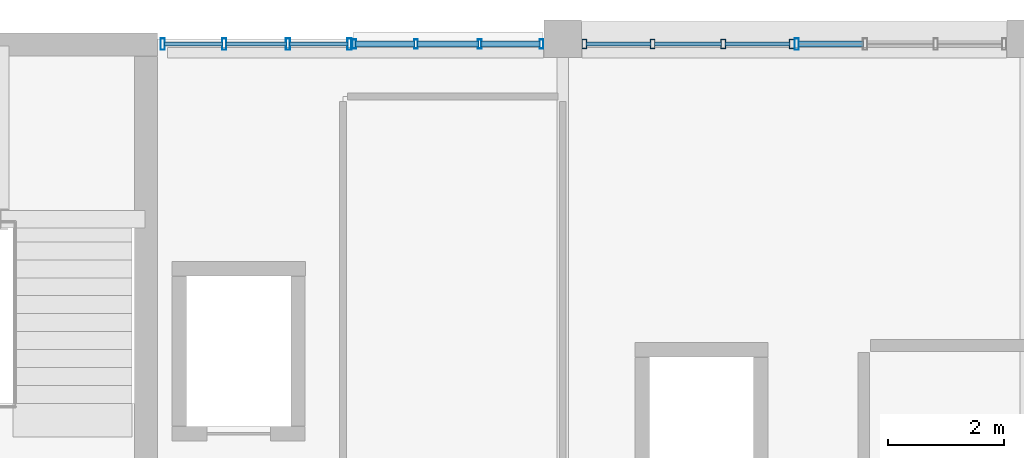
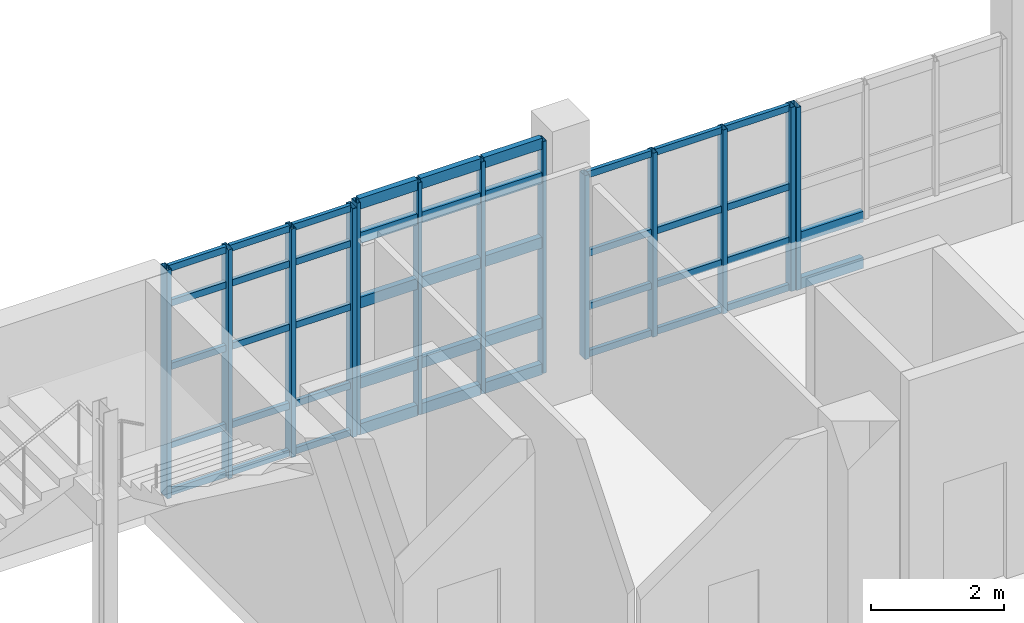
# One storey, part 39 of 85: 57 members, 4 elements without a shape of their own.
"""IFC4 building model written with IfcOpenShell, lengths in metres."""

from ifc_helpers import new_model, si_unit, derived_unit, direction, frame, origin, origin_2d, place, context, subcontext, project, spatial, hollow_rectangle, extrude, material, layer, layer_set, material_profile, profile_set, type_object, element, aggregate, save


model = new_model("IFC4")

# Units and contexts
model_context = context("Model", 3, precision=1e-05, world=origin(), true_north=direction((0.0, 1.0)))
body_context = subcontext(model_context, "Body", "Model", "MODEL_VIEW")
ifc_project = project(units=[si_unit("LENGTHUNIT", "METRE"), si_unit("AREAUNIT", "SQUARE_METRE"), si_unit("VOLUMEUNIT", "CUBIC_METRE"), si_unit("PLANEANGLEUNIT", "RADIAN"), si_unit("MASSUNIT", "GRAM", prefix="KILO"), derived_unit("THERMALTRANSMITTANCEUNIT", [(si_unit("POWERUNIT", "WATT"), 1), (si_unit("LENGTHUNIT", "METRE"), -2), (si_unit("THERMODYNAMICTEMPERATUREUNIT", "KELVIN"), -1)])], contexts=[model_context])

# Site, building, storey
site_placement = place(None, origin())
site = spatial("IfcSite", under=ifc_project, at=site_placement, CompositionType="ELEMENT")
building_placement = place(site_placement, origin())
building = spatial("IfcBuilding", under=site, at=building_placement, Name="Nallur Shell Playhouse", CompositionType="ELEMENT")
storey_placement = place(building_placement, frame((0.0, 0.0, 19.800048828125)))
storey = spatial("IfcBuildingStorey", under=building, at=storey_placement, Name="L05", CompositionType="ELEMENT", Elevation=19.800048828125)

# Curtain wall, members
ifc_material_1 = material(Name="Anodised Aluminium Double-Glazed Facade System", Category="aluminium")
ifc_layer_1 = layer(ifc_material_1, 0.1640625)
ifc_layer_set_1 = layer_set([ifc_layer_1], Name="Anodised Aluminium Double-Glazed Facade System")
curtain_wall_type_1 = type_object("IfcCurtainWallType", Name="CW-UNIT-01", PredefinedType="NOTDEFINED", material=ifc_layer_set_1)
curtain_wall_1_placement = place(storey_placement, origin())
curtain_wall_1 = element("IfcCurtainWall", 1, at=curtain_wall_1_placement, inside=storey, type_object=curtain_wall_type_1, Name="Unitised curtain wall CW-161 (L05)", PredefinedType="NOTDEFINED")
ifc_material_2 = material(Name="Aluminium Alloy 6063-T6 Mullion", Category="aluminium")
ifc_material_profile_1 = material_profile(ifc_material_2, hollow_rectangle(XDim=0.080078125, YDim=0.159912109375, WallThickness=0.006103515625, at=origin_2d()), Name="RHS 160x80x6")
ifc_profile_set_1 = profile_set([ifc_material_profile_1], Name="Aluminium Alloy 6063-T6 Mullion")
member_type_1 = type_object("IfcMemberType", Name="MB-CW-MUL150", PredefinedType="MULLION", material=ifc_profile_set_1)
member_1_placement = place(storey_placement, frame((40.373046875, 82.909912109375, -0.01513671875), z_axis=(0.0, 0.0, 1.0), x_axis=(1.0, 0.0, 0.0)))
member_1 = element("IfcMember", 2, at=member_1_placement, type_object=member_type_1, Name="CW-01 mullion 1", PredefinedType="MULLION", context=body_context, shape_type="SweptSolid", body=[
    extrude(hollow_rectangle(XDim=0.080078125, YDim=0.159912109375, WallThickness=0.006103515625, at=origin_2d()), origin(), (0.0, 0.0, 1.0), 3.384033203125),
])
member_2_placement = place(storey_placement, frame((41.5537109375, 82.909912109375, -0.01513671875), z_axis=(0.0, 0.0, 1.0), x_axis=(1.0, 0.0, 0.0)))
member_2 = element("IfcMember", 3, at=member_2_placement, type_object=member_type_1, Name="CW-01 mullion 2", PredefinedType="MULLION", context=body_context, shape_type="SweptSolid", body=[
    extrude(hollow_rectangle(XDim=0.080078125, YDim=0.159912109375, WallThickness=0.006103515625, at=origin_2d()), origin(), (0.0, 0.0, 1.0), 3.384033203125),
])
member_3_placement = place(storey_placement, frame((42.7744140625, 82.909912109375, -0.01513671875), z_axis=(0.0, 0.0, 1.0), x_axis=(1.0, 0.0, 0.0)))
member_3 = element("IfcMember", 4, at=member_3_placement, type_object=member_type_1, Name="CW-01 mullion 3", PredefinedType="MULLION", context=body_context, shape_type="SweptSolid", body=[
    extrude(hollow_rectangle(XDim=0.080078125, YDim=0.159912109375, WallThickness=0.006103515625, at=origin_2d()), origin(), (0.0, 0.0, 1.0), 3.384033203125),
])
member_4_placement = place(storey_placement, frame((43.955078125, 82.909912109375, -0.01513671875), z_axis=(0.0, 0.0, 1.0), x_axis=(1.0, 0.0, 0.0)))
member_4 = element("IfcMember", 5, at=member_4_placement, type_object=member_type_1, Name="CW-01 mullion 4", PredefinedType="MULLION", context=body_context, shape_type="SweptSolid", body=[
    extrude(hollow_rectangle(XDim=0.080078125, YDim=0.159912109375, WallThickness=0.006103515625, at=origin_2d()), origin(), (0.0, 0.0, 1.0), 3.384033203125),
])

ifc_layer_2 = layer(ifc_material_1, 0.16796875)
ifc_layer_set_2 = layer_set([ifc_layer_2], Name="Anodised Aluminium Double-Glazed Facade System")
curtain_wall_type_2 = type_object("IfcCurtainWallType", Name="CW-UNIT-32", PredefinedType="NOTDEFINED", material=ifc_layer_set_2)
curtain_wall_2_placement = place(storey_placement, origin())
curtain_wall_2 = element("IfcCurtainWall", 6, at=curtain_wall_2_placement, inside=storey, type_object=curtain_wall_type_2, Name="Unitised curtain wall CW-160 (L05)", PredefinedType="NOTDEFINED")
ifc_material_profile_2 = material_profile(ifc_material_2, hollow_rectangle(XDim=0.06494140625, YDim=0.159912109375, WallThickness=0.00390625, at=origin_2d()), Name="ALU 65x160x4")
ifc_profile_set_2 = profile_set([ifc_material_profile_2], Name="Aluminium Alloy 6063-T6 Mullion")
member_type_2 = type_object("IfcMemberType", Name="MB-CW-MUL160", PredefinedType="MULLION", material=ifc_profile_set_2)
member_5_placement = place(storey_placement, frame((36.39599609375, 82.909912109375, -0.01513671875), z_axis=(0.0, 0.0, 1.0), x_axis=(1.0, 0.0, 0.0)))
member_5 = element("IfcMember", 7, at=member_5_placement, type_object=member_type_2, Name="CW-32 mullion 1", PredefinedType="MULLION", context=body_context, shape_type="SweptSolid", body=[
    extrude(hollow_rectangle(XDim=0.06494140625, YDim=0.159912109375, WallThickness=0.00390625, at=origin_2d()), origin(), (0.0, 0.0, 1.0), 4.26904296875),
])
member_6_placement = place(storey_placement, frame((37.464599609375, 82.909912109375, -0.01513671875), z_axis=(0.0, 0.0, 1.0), x_axis=(1.0, 0.0, 0.0)))
member_6 = element("IfcMember", 8, at=member_6_placement, type_object=member_type_2, Name="CW-32 mullion 2", PredefinedType="MULLION", context=body_context, shape_type="SweptSolid", body=[
    extrude(hollow_rectangle(XDim=0.06494140625, YDim=0.159912109375, WallThickness=0.00390625, at=origin_2d()), origin(), (0.0, 0.0, 1.0), 4.26904296875),
])
member_7_placement = place(storey_placement, frame((38.56591796875, 82.909912109375, -0.01513671875), z_axis=(0.0, 0.0, 1.0), x_axis=(1.0, 0.0, 0.0)))
member_7 = element("IfcMember", 9, at=member_7_placement, type_object=member_type_2, Name="CW-32 mullion 3", PredefinedType="MULLION", context=body_context, shape_type="SweptSolid", body=[
    extrude(hollow_rectangle(XDim=0.06494140625, YDim=0.159912109375, WallThickness=0.00390625, at=origin_2d()), origin(), (0.0, 0.0, 1.0), 4.26904296875),
])
member_8_placement = place(storey_placement, frame((39.634521484375, 82.909912109375, -0.01513671875), z_axis=(0.0, 0.0, 1.0), x_axis=(1.0, 0.0, 0.0)))
member_8 = element("IfcMember", 10, at=member_8_placement, type_object=member_type_2, Name="CW-32 mullion 4", PredefinedType="MULLION", context=body_context, shape_type="SweptSolid", body=[
    extrude(hollow_rectangle(XDim=0.06494140625, YDim=0.159912109375, WallThickness=0.00390625, at=origin_2d()), origin(), (0.0, 0.0, 1.0), 4.26904296875),
])

ifc_layer_3 = layer(ifc_material_1, 0.1640625)
ifc_layer_set_3 = layer_set([ifc_layer_3], Name="Anodised Aluminium Double-Glazed Facade System")
curtain_wall_type_3 = type_object("IfcCurtainWallType", Name="CW-UNIT-31", PredefinedType="NOTDEFINED", material=ifc_layer_set_3)
curtain_wall_3_placement = place(storey_placement, origin())
curtain_wall_3 = element("IfcCurtainWall", 11, at=curtain_wall_3_placement, inside=storey, type_object=curtain_wall_type_3, Name="Unitised curtain wall CW-159 (L05)", PredefinedType="NOTDEFINED")
ifc_material_profile_3 = material_profile(ifc_material_2, hollow_rectangle(XDim=0.074951171875, YDim=0.199951171875, WallThickness=0.0048828125, at=origin_2d()), Name="ALU 75x200x5")
ifc_profile_set_3 = profile_set([ifc_material_profile_3], Name="Aluminium Alloy 6063-T6 Mullion")
member_type_3 = type_object("IfcMemberType", Name="MB-CW-MUL180", PredefinedType="MULLION", material=ifc_profile_set_3)
member_9_placement = place(storey_placement, frame((33.08740234375, 82.909912109375, -0.01513671875), z_axis=(0.0, 0.0, 1.0), x_axis=(1.0, 0.0, 0.0)))
member_9 = element("IfcMember", 12, at=member_9_placement, type_object=member_type_3, Name="CW-31 mullion 1", PredefinedType="MULLION", context=body_context, shape_type="SweptSolid", body=[
    extrude(hollow_rectangle(XDim=0.074951171875, YDim=0.199951171875, WallThickness=0.0048828125, at=origin_2d()), origin(), (0.0, 0.0, 1.0), 4.208984375),
])
member_10_placement = place(storey_placement, frame((34.151123046875, 82.909912109375, -0.01513671875), z_axis=(0.0, 0.0, 1.0), x_axis=(1.0, 0.0, 0.0)))
member_10 = element("IfcMember", 13, at=member_10_placement, type_object=member_type_3, Name="CW-31 mullion 2", PredefinedType="MULLION", context=body_context, shape_type="SweptSolid", body=[
    extrude(hollow_rectangle(XDim=0.074951171875, YDim=0.199951171875, WallThickness=0.0048828125, at=origin_2d()), origin(), (0.0, 0.0, 1.0), 4.208984375),
])
member_11_placement = place(storey_placement, frame((35.25244140625, 82.909912109375, -0.01513671875), z_axis=(0.0, 0.0, 1.0), x_axis=(1.0, 0.0, 0.0)))
member_11 = element("IfcMember", 14, at=member_11_placement, type_object=member_type_3, Name="CW-31 mullion 3", PredefinedType="MULLION", context=body_context, shape_type="SweptSolid", body=[
    extrude(hollow_rectangle(XDim=0.074951171875, YDim=0.199951171875, WallThickness=0.0048828125, at=origin_2d()), origin(), (0.0, 0.0, 1.0), 4.208984375),
])
member_12_placement = place(storey_placement, frame((36.31591796875, 82.909912109375, -0.01513671875), z_axis=(0.0, 0.0, 1.0), x_axis=(1.0, 0.0, 0.0)))
member_12 = element("IfcMember", 15, at=member_12_placement, type_object=member_type_3, Name="CW-31 mullion 4", PredefinedType="MULLION", context=body_context, shape_type="SweptSolid", body=[
    extrude(hollow_rectangle(XDim=0.074951171875, YDim=0.199951171875, WallThickness=0.0048828125, at=origin_2d()), origin(), (0.0, 0.0, 1.0), 4.208984375),
])

# Curtain wall, member
ifc_layer_4 = layer(ifc_material_1, 0.16796875)
ifc_layer_set_4 = layer_set([ifc_layer_4], Name="Anodised Aluminium Double-Glazed Facade System")
curtain_wall_type_4 = type_object("IfcCurtainWallType", Name="CW-UNIT-02", PredefinedType="NOTDEFINED", material=ifc_layer_set_4)
curtain_wall_4_placement = place(storey_placement, origin())
curtain_wall_4 = element("IfcCurtainWall", 16, at=curtain_wall_4_placement, inside=storey, type_object=curtain_wall_type_4, Name="Unitised curtain wall CW-162 (L05)", PredefinedType="NOTDEFINED")
member_13_placement = place(storey_placement, frame((44.04248046875, 82.909912109375, -0.01513671875), z_axis=(0.0, 0.0, 1.0), x_axis=(1.0, 0.0, 0.0)))
member_13 = element("IfcMember", 17, at=member_13_placement, type_object=member_type_3, Name="CW-02 mullion 1", PredefinedType="MULLION", context=body_context, shape_type="SweptSolid", body=[
    extrude(hollow_rectangle(XDim=0.074951171875, YDim=0.199951171875, WallThickness=0.0048828125, at=origin_2d()), origin(), (0.0, 0.0, 1.0), 3.364013671875),
])

# Member
ifc_material_3 = material(Name="Aluminium Alloy 6063-T6 Transom", Category="aluminium")
ifc_material_profile_4 = material_profile(ifc_material_3, hollow_rectangle(XDim=0.06494140625, YDim=0.1201171875, WallThickness=0.00390625, at=origin_2d()), Name="ALU 65x120x4")
ifc_profile_set_4 = profile_set([ifc_material_profile_4], Name="Aluminium Alloy 6063-T6 Transom")
member_type_4 = type_object("IfcMemberType", Name="MB-CW-TRN120", PredefinedType="USERDEFINED", material=ifc_profile_set_4)
member_14_placement = place(storey_placement, frame((33.116943359375, 82.909912109375, 0.032470703125), z_axis=(1.0, 0.0, 0.0), x_axis=(0.0, 1.0, 0.0)))
member_14 = element("IfcMember", 18, at=member_14_placement, type_object=member_type_4, Name="CW-31 transom 1.1", ObjectType="TRANSOM", PredefinedType="USERDEFINED", context=body_context, shape_type="SweptSolid", body=[
    extrude(hollow_rectangle(XDim=0.06494140625, YDim=0.1201171875, WallThickness=0.00390625, at=origin_2d()), origin(), (0.0, 0.0, 1.0), 1.004638671875),
])

member_15_placement = place(storey_placement, frame((33.116943359375, 82.909912109375, 0.89990234375), z_axis=(1.0, 0.0, 0.0), x_axis=(0.0, 1.0, 0.0)))
member_15 = element("IfcMember", 19, at=member_15_placement, type_object=member_type_4, Name="CW-31 transom 1.2", ObjectType="TRANSOM", PredefinedType="USERDEFINED", context=body_context, shape_type="SweptSolid", body=[
    extrude(hollow_rectangle(XDim=0.06494140625, YDim=0.1201171875, WallThickness=0.00390625, at=origin_2d()), origin(), (0.0, 0.0, 1.0), 1.004638671875),
])

member_16_placement = place(storey_placement, frame((33.116943359375, 82.909912109375, 2.345947265625), z_axis=(1.0, 0.0, 0.0), x_axis=(0.0, 1.0, 0.0)))
member_16 = element("IfcMember", 20, at=member_16_placement, type_object=member_type_4, Name="CW-31 transom 1.3", ObjectType="TRANSOM", PredefinedType="USERDEFINED", context=body_context, shape_type="SweptSolid", body=[
    extrude(hollow_rectangle(XDim=0.06494140625, YDim=0.1201171875, WallThickness=0.00390625, at=origin_2d()), origin(), (0.0, 0.0, 1.0), 1.004638671875),
])

member_17_placement = place(storey_placement, frame((33.116943359375, 82.909912109375, 3.510009765625), z_axis=(1.0, 0.0, 0.0), x_axis=(0.0, 1.0, 0.0)))
member_17 = element("IfcMember", 21, at=member_17_placement, type_object=member_type_4, Name="CW-31 transom 1.4", ObjectType="TRANSOM", PredefinedType="USERDEFINED", context=body_context, shape_type="SweptSolid", body=[
    extrude(hollow_rectangle(XDim=0.06494140625, YDim=0.1201171875, WallThickness=0.00390625, at=origin_2d()), origin(), (0.0, 0.0, 1.0), 1.004638671875),
])

member_18_placement = place(storey_placement, frame((33.116943359375, 82.909912109375, 4.157470703125), z_axis=(1.0, 0.0, 0.0), x_axis=(0.0, 1.0, 0.0)))
member_18 = element("IfcMember", 22, at=member_18_placement, type_object=member_type_4, Name="CW-31 transom 1.5", ObjectType="TRANSOM", PredefinedType="USERDEFINED", context=body_context, shape_type="SweptSolid", body=[
    extrude(hollow_rectangle(XDim=0.06494140625, YDim=0.1201171875, WallThickness=0.00390625, at=origin_2d()), origin(), (0.0, 0.0, 1.0), 1.004638671875),
])

member_19_placement = place(storey_placement, frame((34.1806640625, 82.909912109375, 0.032470703125), z_axis=(1.0, 0.0, 0.0), x_axis=(0.0, 1.0, 0.0)))
member_19 = element("IfcMember", 23, at=member_19_placement, type_object=member_type_4, Name="CW-31 transom 2.1", ObjectType="TRANSOM", PredefinedType="USERDEFINED", context=body_context, shape_type="SweptSolid", body=[
    extrude(hollow_rectangle(XDim=0.06494140625, YDim=0.1201171875, WallThickness=0.00390625, at=origin_2d()), origin(), (0.0, 0.0, 1.0), 1.042236328125),
])

member_20_placement = place(storey_placement, frame((34.1806640625, 82.909912109375, 0.89990234375), z_axis=(1.0, 0.0, 0.0), x_axis=(0.0, 1.0, 0.0)))
member_20 = element("IfcMember", 24, at=member_20_placement, type_object=member_type_4, Name="CW-31 transom 2.2", ObjectType="TRANSOM", PredefinedType="USERDEFINED", context=body_context, shape_type="SweptSolid", body=[
    extrude(hollow_rectangle(XDim=0.06494140625, YDim=0.1201171875, WallThickness=0.00390625, at=origin_2d()), origin(), (0.0, 0.0, 1.0), 1.042236328125),
])

member_21_placement = place(storey_placement, frame((34.1806640625, 82.909912109375, 2.345947265625), z_axis=(1.0, 0.0, 0.0), x_axis=(0.0, 1.0, 0.0)))
member_21 = element("IfcMember", 25, at=member_21_placement, type_object=member_type_4, Name="CW-31 transom 2.3", ObjectType="TRANSOM", PredefinedType="USERDEFINED", context=body_context, shape_type="SweptSolid", body=[
    extrude(hollow_rectangle(XDim=0.06494140625, YDim=0.1201171875, WallThickness=0.00390625, at=origin_2d()), origin(), (0.0, 0.0, 1.0), 1.042236328125),
])

member_22_placement = place(storey_placement, frame((34.1806640625, 82.909912109375, 3.510009765625), z_axis=(1.0, 0.0, 0.0), x_axis=(0.0, 1.0, 0.0)))
member_22 = element("IfcMember", 26, at=member_22_placement, type_object=member_type_4, Name="CW-31 transom 2.4", ObjectType="TRANSOM", PredefinedType="USERDEFINED", context=body_context, shape_type="SweptSolid", body=[
    extrude(hollow_rectangle(XDim=0.06494140625, YDim=0.1201171875, WallThickness=0.00390625, at=origin_2d()), origin(), (0.0, 0.0, 1.0), 1.042236328125),
])

member_23_placement = place(storey_placement, frame((34.1806640625, 82.909912109375, 4.157470703125), z_axis=(1.0, 0.0, 0.0), x_axis=(0.0, 1.0, 0.0)))
member_23 = element("IfcMember", 27, at=member_23_placement, type_object=member_type_4, Name="CW-31 transom 2.5", ObjectType="TRANSOM", PredefinedType="USERDEFINED", context=body_context, shape_type="SweptSolid", body=[
    extrude(hollow_rectangle(XDim=0.06494140625, YDim=0.1201171875, WallThickness=0.00390625, at=origin_2d()), origin(), (0.0, 0.0, 1.0), 1.042236328125),
])

member_24_placement = place(storey_placement, frame((35.28173828125, 82.909912109375, 0.032470703125), z_axis=(1.0, 0.0, 0.0), x_axis=(0.0, 1.0, 0.0)))
member_24 = element("IfcMember", 28, at=member_24_placement, type_object=member_type_4, Name="CW-31 transom 3.1", ObjectType="TRANSOM", PredefinedType="USERDEFINED", context=body_context, shape_type="SweptSolid", body=[
    extrude(hollow_rectangle(XDim=0.06494140625, YDim=0.1201171875, WallThickness=0.00390625, at=origin_2d()), origin(), (0.0, 0.0, 1.0), 1.0048828125),
])

member_25_placement = place(storey_placement, frame((35.28173828125, 82.909912109375, 0.89990234375), z_axis=(1.0, 0.0, 0.0), x_axis=(0.0, 1.0, 0.0)))
member_25 = element("IfcMember", 29, at=member_25_placement, type_object=member_type_4, Name="CW-31 transom 3.2", ObjectType="TRANSOM", PredefinedType="USERDEFINED", context=body_context, shape_type="SweptSolid", body=[
    extrude(hollow_rectangle(XDim=0.06494140625, YDim=0.1201171875, WallThickness=0.00390625, at=origin_2d()), origin(), (0.0, 0.0, 1.0), 1.0048828125),
])

member_26_placement = place(storey_placement, frame((35.28173828125, 82.909912109375, 2.345947265625), z_axis=(1.0, 0.0, 0.0), x_axis=(0.0, 1.0, 0.0)))
member_26 = element("IfcMember", 30, at=member_26_placement, type_object=member_type_4, Name="CW-31 transom 3.3", ObjectType="TRANSOM", PredefinedType="USERDEFINED", context=body_context, shape_type="SweptSolid", body=[
    extrude(hollow_rectangle(XDim=0.06494140625, YDim=0.1201171875, WallThickness=0.00390625, at=origin_2d()), origin(), (0.0, 0.0, 1.0), 1.0048828125),
])

member_27_placement = place(storey_placement, frame((35.28173828125, 82.909912109375, 3.510009765625), z_axis=(1.0, 0.0, 0.0), x_axis=(0.0, 1.0, 0.0)))
member_27 = element("IfcMember", 31, at=member_27_placement, type_object=member_type_4, Name="CW-31 transom 3.4", ObjectType="TRANSOM", PredefinedType="USERDEFINED", context=body_context, shape_type="SweptSolid", body=[
    extrude(hollow_rectangle(XDim=0.06494140625, YDim=0.1201171875, WallThickness=0.00390625, at=origin_2d()), origin(), (0.0, 0.0, 1.0), 1.0048828125),
])

member_28_placement = place(storey_placement, frame((35.28173828125, 82.909912109375, 4.157470703125), z_axis=(1.0, 0.0, 0.0), x_axis=(0.0, 1.0, 0.0)))
member_28 = element("IfcMember", 32, at=member_28_placement, type_object=member_type_4, Name="CW-31 transom 3.5", ObjectType="TRANSOM", PredefinedType="USERDEFINED", context=body_context, shape_type="SweptSolid", body=[
    extrude(hollow_rectangle(XDim=0.06494140625, YDim=0.1201171875, WallThickness=0.00390625, at=origin_2d()), origin(), (0.0, 0.0, 1.0), 1.0048828125),
])

aggregate(curtain_wall_3, [member_9, member_10, member_11, member_12, member_14, member_15, member_16, member_17, member_18, member_19, member_20, member_21, member_22, member_23, member_24, member_25, member_26, member_27, member_28])

member_29_placement = place(storey_placement, frame((40.405029296875, 82.909912109375, 0.032470703125), z_axis=(1.0, 0.0, 0.0), x_axis=(0.0, 1.0, 0.0)))
member_29 = element("IfcMember", 33, at=member_29_placement, type_object=member_type_4, Name="CW-01 transom 1.1", ObjectType="TRANSOM", PredefinedType="USERDEFINED", context=body_context, shape_type="SweptSolid", body=[
    extrude(hollow_rectangle(XDim=0.06494140625, YDim=0.1201171875, WallThickness=0.00390625, at=origin_2d()), origin(), (0.0, 0.0, 1.0), 1.11669921875),
])

member_30_placement = place(storey_placement, frame((40.405029296875, 82.909912109375, 0.89990234375), z_axis=(1.0, 0.0, 0.0), x_axis=(0.0, 1.0, 0.0)))
member_30 = element("IfcMember", 34, at=member_30_placement, type_object=member_type_4, Name="CW-01 transom 1.2", ObjectType="TRANSOM", PredefinedType="USERDEFINED", context=body_context, shape_type="SweptSolid", body=[
    extrude(hollow_rectangle(XDim=0.06494140625, YDim=0.1201171875, WallThickness=0.00390625, at=origin_2d()), origin(), (0.0, 0.0, 1.0), 1.11669921875),
])

member_31_placement = place(storey_placement, frame((40.405029296875, 82.909912109375, 1.884033203125), z_axis=(1.0, 0.0, 0.0), x_axis=(0.0, 1.0, 0.0)))
member_31 = element("IfcMember", 35, at=member_31_placement, type_object=member_type_4, Name="CW-01 transom 1.3", ObjectType="TRANSOM", PredefinedType="USERDEFINED", context=body_context, shape_type="SweptSolid", body=[
    extrude(hollow_rectangle(XDim=0.06494140625, YDim=0.1201171875, WallThickness=0.00390625, at=origin_2d()), origin(), (0.0, 0.0, 1.0), 1.11669921875),
])

member_32_placement = place(storey_placement, frame((40.405029296875, 82.909912109375, 3.33251953125), z_axis=(1.0, 0.0, 0.0), x_axis=(0.0, 1.0, 0.0)))
member_32 = element("IfcMember", 36, at=member_32_placement, type_object=member_type_4, Name="CW-01 transom 1.4", ObjectType="TRANSOM", PredefinedType="USERDEFINED", context=body_context, shape_type="SweptSolid", body=[
    extrude(hollow_rectangle(XDim=0.06494140625, YDim=0.1201171875, WallThickness=0.00390625, at=origin_2d()), origin(), (0.0, 0.0, 1.0), 1.11669921875),
])

member_33_placement = place(storey_placement, frame((41.585693359375, 82.909912109375, 0.032470703125), z_axis=(1.0, 0.0, 0.0), x_axis=(0.0, 1.0, 0.0)))
member_33 = element("IfcMember", 37, at=member_33_placement, type_object=member_type_4, Name="CW-01 transom 2.1", ObjectType="TRANSOM", PredefinedType="USERDEFINED", context=body_context, shape_type="SweptSolid", body=[
    extrude(hollow_rectangle(XDim=0.06494140625, YDim=0.1201171875, WallThickness=0.00390625, at=origin_2d()), origin(), (0.0, 0.0, 1.0), 1.15673828125),
])

member_34_placement = place(storey_placement, frame((41.585693359375, 82.909912109375, 0.89990234375), z_axis=(1.0, 0.0, 0.0), x_axis=(0.0, 1.0, 0.0)))
member_34 = element("IfcMember", 38, at=member_34_placement, type_object=member_type_4, Name="CW-01 transom 2.2", ObjectType="TRANSOM", PredefinedType="USERDEFINED", context=body_context, shape_type="SweptSolid", body=[
    extrude(hollow_rectangle(XDim=0.06494140625, YDim=0.1201171875, WallThickness=0.00390625, at=origin_2d()), origin(), (0.0, 0.0, 1.0), 1.15673828125),
])

member_35_placement = place(storey_placement, frame((41.585693359375, 82.909912109375, 1.884033203125), z_axis=(1.0, 0.0, 0.0), x_axis=(0.0, 1.0, 0.0)))
member_35 = element("IfcMember", 39, at=member_35_placement, type_object=member_type_4, Name="CW-01 transom 2.3", ObjectType="TRANSOM", PredefinedType="USERDEFINED", context=body_context, shape_type="SweptSolid", body=[
    extrude(hollow_rectangle(XDim=0.06494140625, YDim=0.1201171875, WallThickness=0.00390625, at=origin_2d()), origin(), (0.0, 0.0, 1.0), 1.15673828125),
])

member_36_placement = place(storey_placement, frame((41.585693359375, 82.909912109375, 3.33251953125), z_axis=(1.0, 0.0, 0.0), x_axis=(0.0, 1.0, 0.0)))
member_36 = element("IfcMember", 40, at=member_36_placement, type_object=member_type_4, Name="CW-01 transom 2.4", ObjectType="TRANSOM", PredefinedType="USERDEFINED", context=body_context, shape_type="SweptSolid", body=[
    extrude(hollow_rectangle(XDim=0.06494140625, YDim=0.1201171875, WallThickness=0.00390625, at=origin_2d()), origin(), (0.0, 0.0, 1.0), 1.15673828125),
])

member_37_placement = place(storey_placement, frame((42.806396484375, 82.909912109375, 0.032470703125), z_axis=(1.0, 0.0, 0.0), x_axis=(0.0, 1.0, 0.0)))
member_37 = element("IfcMember", 41, at=member_37_placement, type_object=member_type_4, Name="CW-01 transom 3.1", ObjectType="TRANSOM", PredefinedType="USERDEFINED", context=body_context, shape_type="SweptSolid", body=[
    extrude(hollow_rectangle(XDim=0.06494140625, YDim=0.1201171875, WallThickness=0.00390625, at=origin_2d()), origin(), (0.0, 0.0, 1.0), 1.11669921875),
])

member_38_placement = place(storey_placement, frame((42.806396484375, 82.909912109375, 0.89990234375), z_axis=(1.0, 0.0, 0.0), x_axis=(0.0, 1.0, 0.0)))
member_38 = element("IfcMember", 42, at=member_38_placement, type_object=member_type_4, Name="CW-01 transom 3.2", ObjectType="TRANSOM", PredefinedType="USERDEFINED", context=body_context, shape_type="SweptSolid", body=[
    extrude(hollow_rectangle(XDim=0.06494140625, YDim=0.1201171875, WallThickness=0.00390625, at=origin_2d()), origin(), (0.0, 0.0, 1.0), 1.11669921875),
])

member_39_placement = place(storey_placement, frame((42.806396484375, 82.909912109375, 1.884033203125), z_axis=(1.0, 0.0, 0.0), x_axis=(0.0, 1.0, 0.0)))
member_39 = element("IfcMember", 43, at=member_39_placement, type_object=member_type_4, Name="CW-01 transom 3.3", ObjectType="TRANSOM", PredefinedType="USERDEFINED", context=body_context, shape_type="SweptSolid", body=[
    extrude(hollow_rectangle(XDim=0.06494140625, YDim=0.1201171875, WallThickness=0.00390625, at=origin_2d()), origin(), (0.0, 0.0, 1.0), 1.11669921875),
])

member_40_placement = place(storey_placement, frame((42.806396484375, 82.909912109375, 3.33251953125), z_axis=(1.0, 0.0, 0.0), x_axis=(0.0, 1.0, 0.0)))
member_40 = element("IfcMember", 44, at=member_40_placement, type_object=member_type_4, Name="CW-01 transom 3.4", ObjectType="TRANSOM", PredefinedType="USERDEFINED", context=body_context, shape_type="SweptSolid", body=[
    extrude(hollow_rectangle(XDim=0.06494140625, YDim=0.1201171875, WallThickness=0.00390625, at=origin_2d()), origin(), (0.0, 0.0, 1.0), 1.11669921875),
])

aggregate(curtain_wall_1, [member_1, member_2, member_3, member_4, member_29, member_30, member_31, member_32, member_33, member_34, member_35, member_36, member_37, member_38, member_39, member_40])

ifc_material_profile_5 = material_profile(ifc_material_3, hollow_rectangle(XDim=0.10009765625, YDim=0.199951171875, WallThickness=0.008056640625, at=origin_2d()), Name="RHS 200x100x8")
ifc_profile_set_5 = profile_set([ifc_material_profile_5], Name="Aluminium Alloy 6063-T6 Transom")
member_type_5 = type_object("IfcMemberType", Name="MB-CW-TRN140", PredefinedType="USERDEFINED", material=ifc_profile_set_5)
member_41_placement = place(storey_placement, frame((36.42041015625, 82.909912109375, 0.050048828125), z_axis=(1.0, 0.0, 0.0), x_axis=(0.0, 1.0, 0.0)))
member_41 = element("IfcMember", 45, at=member_41_placement, type_object=member_type_5, Name="CW-32 transom 1.1", ObjectType="TRANSOM", PredefinedType="USERDEFINED", context=body_context, shape_type="SweptSolid", body=[
    extrude(hollow_rectangle(XDim=0.10009765625, YDim=0.199951171875, WallThickness=0.008056640625, at=origin_2d()), origin(), (0.0, 0.0, 1.0), 1.019775390625),
])

member_42_placement = place(storey_placement, frame((36.42041015625, 82.909912109375, 0.89990234375), z_axis=(1.0, 0.0, 0.0), x_axis=(0.0, 1.0, 0.0)))
member_42 = element("IfcMember", 46, at=member_42_placement, type_object=member_type_5, Name="CW-32 transom 1.2", ObjectType="TRANSOM", PredefinedType="USERDEFINED", context=body_context, shape_type="SweptSolid", body=[
    extrude(hollow_rectangle(XDim=0.10009765625, YDim=0.199951171875, WallThickness=0.008056640625, at=origin_2d()), origin(), (0.0, 0.0, 1.0), 1.019775390625),
])

member_43_placement = place(storey_placement, frame((36.42041015625, 82.909912109375, 2.3798828125), z_axis=(1.0, 0.0, 0.0), x_axis=(0.0, 1.0, 0.0)))
member_43 = element("IfcMember", 47, at=member_43_placement, type_object=member_type_5, Name="CW-32 transom 1.3", ObjectType="TRANSOM", PredefinedType="USERDEFINED", context=body_context, shape_type="SweptSolid", body=[
    extrude(hollow_rectangle(XDim=0.10009765625, YDim=0.199951171875, WallThickness=0.008056640625, at=origin_2d()), origin(), (0.0, 0.0, 1.0), 1.019775390625),
])

member_44_placement = place(storey_placement, frame((36.42041015625, 82.909912109375, 3.570068359375), z_axis=(1.0, 0.0, 0.0), x_axis=(0.0, 1.0, 0.0)))
member_44 = element("IfcMember", 48, at=member_44_placement, type_object=member_type_5, Name="CW-32 transom 1.4", ObjectType="TRANSOM", PredefinedType="USERDEFINED", context=body_context, shape_type="SweptSolid", body=[
    extrude(hollow_rectangle(XDim=0.10009765625, YDim=0.199951171875, WallThickness=0.008056640625, at=origin_2d()), origin(), (0.0, 0.0, 1.0), 1.019775390625),
])

member_45_placement = place(storey_placement, frame((36.42041015625, 82.909912109375, 4.199951171875), z_axis=(1.0, 0.0, 0.0), x_axis=(0.0, 1.0, 0.0)))
member_45 = element("IfcMember", 49, at=member_45_placement, type_object=member_type_5, Name="CW-32 transom 1.5", ObjectType="TRANSOM", PredefinedType="USERDEFINED", context=body_context, shape_type="SweptSolid", body=[
    extrude(hollow_rectangle(XDim=0.10009765625, YDim=0.199951171875, WallThickness=0.008056640625, at=origin_2d()), origin(), (0.0, 0.0, 1.0), 1.019775390625),
])

member_46_placement = place(storey_placement, frame((37.4892578125, 82.909912109375, 0.050048828125), z_axis=(1.0, 0.0, 0.0), x_axis=(0.0, 1.0, 0.0)))
member_46 = element("IfcMember", 50, at=member_46_placement, type_object=member_type_5, Name="CW-32 transom 2.1", ObjectType="TRANSOM", PredefinedType="USERDEFINED", context=body_context, shape_type="SweptSolid", body=[
    extrude(hollow_rectangle(XDim=0.10009765625, YDim=0.199951171875, WallThickness=0.008056640625, at=origin_2d()), origin(), (0.0, 0.0, 1.0), 1.052001953125),
])

member_47_placement = place(storey_placement, frame((37.4892578125, 82.909912109375, 0.89990234375), z_axis=(1.0, 0.0, 0.0), x_axis=(0.0, 1.0, 0.0)))
member_47 = element("IfcMember", 51, at=member_47_placement, type_object=member_type_5, Name="CW-32 transom 2.2", ObjectType="TRANSOM", PredefinedType="USERDEFINED", context=body_context, shape_type="SweptSolid", body=[
    extrude(hollow_rectangle(XDim=0.10009765625, YDim=0.199951171875, WallThickness=0.008056640625, at=origin_2d()), origin(), (0.0, 0.0, 1.0), 1.052001953125),
])

member_48_placement = place(storey_placement, frame((37.4892578125, 82.909912109375, 2.3798828125), z_axis=(1.0, 0.0, 0.0), x_axis=(0.0, 1.0, 0.0)))
member_48 = element("IfcMember", 52, at=member_48_placement, type_object=member_type_5, Name="CW-32 transom 2.3", ObjectType="TRANSOM", PredefinedType="USERDEFINED", context=body_context, shape_type="SweptSolid", body=[
    extrude(hollow_rectangle(XDim=0.10009765625, YDim=0.199951171875, WallThickness=0.008056640625, at=origin_2d()), origin(), (0.0, 0.0, 1.0), 1.052001953125),
])

member_49_placement = place(storey_placement, frame((37.4892578125, 82.909912109375, 3.570068359375), z_axis=(1.0, 0.0, 0.0), x_axis=(0.0, 1.0, 0.0)))
member_49 = element("IfcMember", 53, at=member_49_placement, type_object=member_type_5, Name="CW-32 transom 2.4", ObjectType="TRANSOM", PredefinedType="USERDEFINED", context=body_context, shape_type="SweptSolid", body=[
    extrude(hollow_rectangle(XDim=0.10009765625, YDim=0.199951171875, WallThickness=0.008056640625, at=origin_2d()), origin(), (0.0, 0.0, 1.0), 1.052001953125),
])

member_50_placement = place(storey_placement, frame((37.4892578125, 82.909912109375, 4.199951171875), z_axis=(1.0, 0.0, 0.0), x_axis=(0.0, 1.0, 0.0)))
member_50 = element("IfcMember", 54, at=member_50_placement, type_object=member_type_5, Name="CW-32 transom 2.5", ObjectType="TRANSOM", PredefinedType="USERDEFINED", context=body_context, shape_type="SweptSolid", body=[
    extrude(hollow_rectangle(XDim=0.10009765625, YDim=0.199951171875, WallThickness=0.008056640625, at=origin_2d()), origin(), (0.0, 0.0, 1.0), 1.052001953125),
])

member_51_placement = place(storey_placement, frame((38.59033203125, 82.909912109375, 0.050048828125), z_axis=(1.0, 0.0, 0.0), x_axis=(0.0, 1.0, 0.0)))
member_51 = element("IfcMember", 55, at=member_51_placement, type_object=member_type_5, Name="CW-32 transom 3.1", ObjectType="TRANSOM", PredefinedType="USERDEFINED", context=body_context, shape_type="SweptSolid", body=[
    extrude(hollow_rectangle(XDim=0.10009765625, YDim=0.199951171875, WallThickness=0.008056640625, at=origin_2d()), origin(), (0.0, 0.0, 1.0), 1.019775390625),
])

member_52_placement = place(storey_placement, frame((38.59033203125, 82.909912109375, 0.89990234375), z_axis=(1.0, 0.0, 0.0), x_axis=(0.0, 1.0, 0.0)))
member_52 = element("IfcMember", 56, at=member_52_placement, type_object=member_type_5, Name="CW-32 transom 3.2", ObjectType="TRANSOM", PredefinedType="USERDEFINED", context=body_context, shape_type="SweptSolid", body=[
    extrude(hollow_rectangle(XDim=0.10009765625, YDim=0.199951171875, WallThickness=0.008056640625, at=origin_2d()), origin(), (0.0, 0.0, 1.0), 1.019775390625),
])

member_53_placement = place(storey_placement, frame((38.59033203125, 82.909912109375, 2.3798828125), z_axis=(1.0, 0.0, 0.0), x_axis=(0.0, 1.0, 0.0)))
member_53 = element("IfcMember", 57, at=member_53_placement, type_object=member_type_5, Name="CW-32 transom 3.3", ObjectType="TRANSOM", PredefinedType="USERDEFINED", context=body_context, shape_type="SweptSolid", body=[
    extrude(hollow_rectangle(XDim=0.10009765625, YDim=0.199951171875, WallThickness=0.008056640625, at=origin_2d()), origin(), (0.0, 0.0, 1.0), 1.019775390625),
])

member_54_placement = place(storey_placement, frame((38.59033203125, 82.909912109375, 3.570068359375), z_axis=(1.0, 0.0, 0.0), x_axis=(0.0, 1.0, 0.0)))
member_54 = element("IfcMember", 58, at=member_54_placement, type_object=member_type_5, Name="CW-32 transom 3.4", ObjectType="TRANSOM", PredefinedType="USERDEFINED", context=body_context, shape_type="SweptSolid", body=[
    extrude(hollow_rectangle(XDim=0.10009765625, YDim=0.199951171875, WallThickness=0.008056640625, at=origin_2d()), origin(), (0.0, 0.0, 1.0), 1.019775390625),
])

member_55_placement = place(storey_placement, frame((38.59033203125, 82.909912109375, 4.199951171875), z_axis=(1.0, 0.0, 0.0), x_axis=(0.0, 1.0, 0.0)))
member_55 = element("IfcMember", 59, at=member_55_placement, type_object=member_type_5, Name="CW-32 transom 3.5", ObjectType="TRANSOM", PredefinedType="USERDEFINED", context=body_context, shape_type="SweptSolid", body=[
    extrude(hollow_rectangle(XDim=0.10009765625, YDim=0.199951171875, WallThickness=0.008056640625, at=origin_2d()), origin(), (0.0, 0.0, 1.0), 1.019775390625),
])

aggregate(curtain_wall_2, [member_5, member_6, member_7, member_8, member_41, member_42, member_43, member_44, member_45, member_46, member_47, member_48, member_49, member_50, member_51, member_52, member_53, member_54, member_55])

member_56_placement = place(storey_placement, frame((44.072021484375, 82.909912109375, 0.050048828125), z_axis=(1.0, 0.0, 0.0), x_axis=(0.0, 1.0, 0.0)))
member_56 = element("IfcMember", 60, at=member_56_placement, type_object=member_type_5, Name="CW-02 transom 1.1", ObjectType="TRANSOM", PredefinedType="USERDEFINED", context=body_context, shape_type="SweptSolid", body=[
    extrude(hollow_rectangle(XDim=0.10009765625, YDim=0.199951171875, WallThickness=0.008056640625, at=origin_2d()), origin(), (0.0, 0.0, 1.0), 1.1240234375),
])

member_57_placement = place(storey_placement, frame((44.072021484375, 82.909912109375, 0.89990234375), z_axis=(1.0, 0.0, 0.0), x_axis=(0.0, 1.0, 0.0)))
member_57 = element("IfcMember", 61, at=member_57_placement, type_object=member_type_5, Name="CW-02 transom 1.2", ObjectType="TRANSOM", PredefinedType="USERDEFINED", context=body_context, shape_type="SweptSolid", body=[
    extrude(hollow_rectangle(XDim=0.10009765625, YDim=0.199951171875, WallThickness=0.008056640625, at=origin_2d()), origin(), (0.0, 0.0, 1.0), 1.1240234375),
])

aggregate(curtain_wall_4, [member_13, member_56, member_57])

save(model, "model.ifc")
